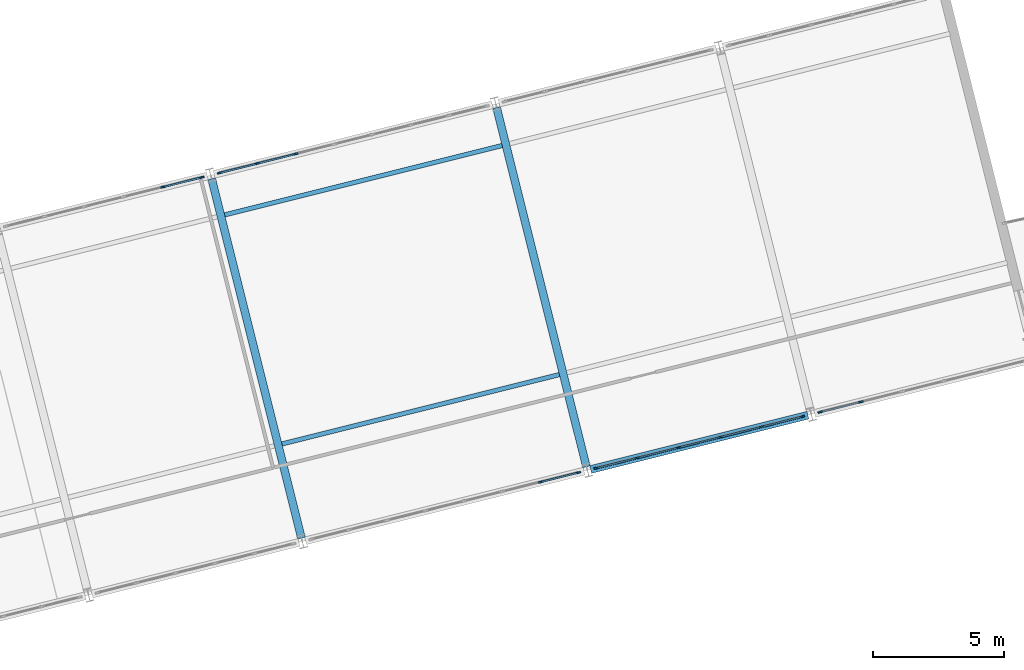
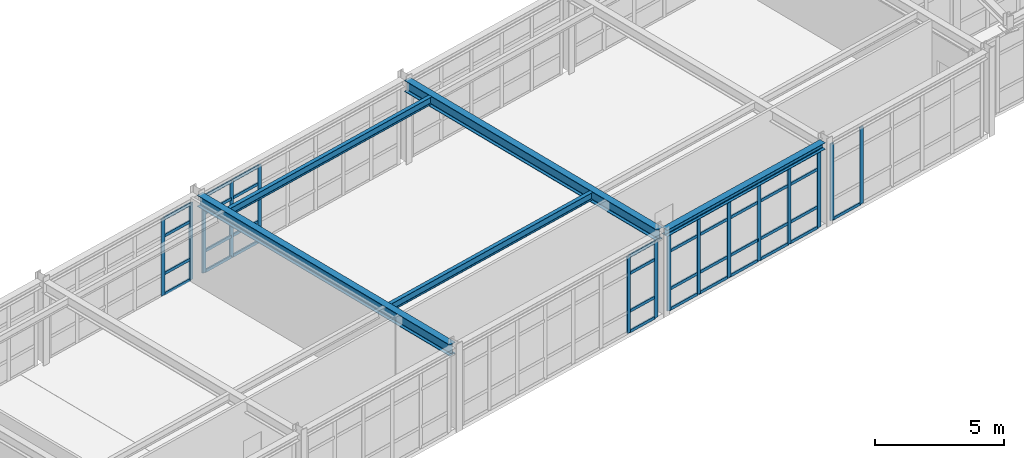
# One storey, part 22 of 88: 52 members, 5 beams, 5 elements without a shape of their own.
"""IFC4 building model written with IfcOpenShell, lengths in metres."""

from ifc_helpers import new_model, si_unit, direction, frame, origin, origin_2d, place, context, subcontext, project, spatial, rectangle, i_section, extrude, material, layer, layer_set, material_profile, profile_set, type_object, element, aggregate, save


model = new_model("IFC4")

# Units and contexts
model_context = context("Model", 3, precision=1e-05, world=origin(), true_north=direction((0.0, 1.0)))
body_context = subcontext(model_context, "Body", "Model", "MODEL_VIEW")
ifc_project = project(units=[si_unit("LENGTHUNIT", "METRE"), si_unit("AREAUNIT", "SQUARE_METRE"), si_unit("VOLUMEUNIT", "CUBIC_METRE"), si_unit("PLANEANGLEUNIT", "RADIAN"), si_unit("MASSUNIT", "GRAM", prefix="KILO")], contexts=[model_context])

# Site, building, storey
site_placement = place(None, origin())
site = spatial("IfcSite", under=ifc_project, at=site_placement, CompositionType="ELEMENT")
building_placement = place(site_placement, origin())
building = spatial("IfcBuilding", under=site, at=building_placement, Name="Nordkorset Police Headquarters", CompositionType="ELEMENT")
storey_placement = place(building_placement, frame((0.0, 0.0, 9.449951171875)))
storey = spatial("IfcBuildingStorey", under=building, at=storey_placement, Name="L02", CompositionType="ELEMENT", Elevation=9.449951171875)

# Beams
ifc_material_1 = material(Name="Steel S355J2", Category="steel")
ifc_material_profile_1 = material_profile(ifc_material_1, i_section(OverallWidth=0.169921875, OverallDepth=0.360107421875, WebThickness=0.008056640625, FlangeThickness=0.0126953125, FilletRadius=0.01806640625, at=origin_2d()), Name="IPE 360")
ifc_profile_set_1 = profile_set([ifc_material_profile_1], Name="Steel S355J2")
beam_type_1 = type_object("IfcBeamType", Name="Beam_IPE_360", PredefinedType="BEAM", material=ifc_profile_set_1)
for number, where, z_axis, x_axis, name in (
    (1, (50.763916015625, 52.7080078125, 3.7900390625), (0.970145135142, 0.242525084807, 0.0), (-0.242525084807, 0.970145135142, 0.0), "Splayed Wing Secondary Beam L02 3-1"),
    (2, (48.5810546875, 61.439208984375, 3.7900390625), (0.970145135142, 0.242525084807, 0.0), (-0.242525084807, 0.970145135142, 0.0), "Splayed Wing Secondary Beam L02 3-2"),
):
    element("IfcBeam", number, at=place(storey_placement, frame(where, z_axis=z_axis, x_axis=x_axis)), inside=storey, type_object=beam_type_1, Name=name, PredefinedType="BEAM", context=body_context, shape_type="SweptSolid", body=[
        extrude(i_section(OverallWidth=0.169921875, OverallDepth=0.360107421875, WebThickness=0.008056640625, FlangeThickness=0.0126953125, FilletRadius=0.01806640625, at=origin_2d()), origin(), (0.0, 0.0, 1.0), 10.900146484375),
    ])

# Curtain wall, members
ifc_material_2 = material(Name="Aluminium alloy AW-6060", Category="aluminium")
ifc_layer_1 = layer(ifc_material_2, 0.179931640625, Name="Aluminium alloy AW-6060")
ifc_layer_set_1 = layer_set([ifc_layer_1], Name="Aluminium alloy AW-6060")
curtain_wall_type_1 = type_object("IfcCurtainWallType", Name="CW_Unit_776x364", PredefinedType="USERDEFINED", material=ifc_layer_set_1)
curtain_wall_1_placement = place(storey_placement, origin())
curtain_wall_1 = element("IfcCurtainWall", 3, at=curtain_wall_1_placement, inside=storey, type_object=curtain_wall_type_1, Name="Unitised Curtain Wall L02 V4N-2", ObjectType="UNITISED CURTAIN WALL", PredefinedType="USERDEFINED")
ifc_material_3 = material(Name="Aluminium alloy AW-6060", Category="aluminium")
ifc_material_profile_2 = material_profile(ifc_material_3, rectangle(XDim=0.06494140625, YDim=0.179931640625, at=origin_2d()), Name="ALU MULL 65x180")
ifc_profile_set_2 = profile_set([ifc_material_profile_2], Name="Aluminium alloy AW-6060")
member_type_1 = type_object("IfcMemberType", Name="CW_Mullion_65x180", PredefinedType="MULLION", material=ifc_profile_set_2)
member_1_placement = place(storey_placement, frame((46.2314453125, 62.5009765625, 0.0), z_axis=(0.0, 0.0, 1.0), x_axis=(-0.242535928242, 0.970142424344, 0.0)))
member_1 = element("IfcMember", 4, at=member_1_placement, type_object=member_type_1, Name="CW-100 mullion 5", PredefinedType="MULLION", context=body_context, shape_type="SweptSolid", body=[
    extrude(rectangle(XDim=0.06494140625, YDim=0.179931640625, at=origin_2d()), origin(), (0.0, 0.0, 1.0), 3.64013671875),
])
member_2_placement = place(storey_placement, frame((47.70556640625, 62.86962890625, 0.0), z_axis=(0.0, 0.0, 1.0), x_axis=(-0.242535928242, 0.970142424344, 0.0)))
member_2 = element("IfcMember", 5, at=member_2_placement, type_object=member_type_1, Name="CW-100 mullion 6", PredefinedType="MULLION", context=body_context, shape_type="SweptSolid", body=[
    extrude(rectangle(XDim=0.06494140625, YDim=0.179931640625, at=origin_2d()), origin(), (0.0, 0.0, 1.0), 3.64013671875),
])

ifc_material_4 = material(Name="Aluminium alloy AW-6060", Category="aluminium")
ifc_layer_2 = layer(ifc_material_4, 0.179931640625, Name="Aluminium alloy AW-6060")
ifc_layer_set_2 = layer_set([ifc_layer_2], Name="Aluminium alloy AW-6060")
curtain_wall_type_2 = type_object("IfcCurtainWallType", Name="CW_Unit_1056x364", PredefinedType="USERDEFINED", material=ifc_layer_set_2)
curtain_wall_2_placement = place(storey_placement, origin())
curtain_wall_2 = element("IfcCurtainWall", 6, at=curtain_wall_2_placement, inside=storey, type_object=curtain_wall_type_2, Name="Unitised Curtain Wall L02 V4S-3", ObjectType="UNITISED CURTAIN WALL", PredefinedType="USERDEFINED")
member_3_placement = place(storey_placement, frame((60.6318359375, 51.2578125, 0.0), z_axis=(0.0, 0.0, 1.0), x_axis=(-0.242535179399, 0.970142611554, 0.0)))
member_3 = element("IfcMember", 7, at=member_3_placement, type_object=member_type_1, Name="CW-31 mullion 7", PredefinedType="MULLION", context=body_context, shape_type="SweptSolid", body=[
    extrude(rectangle(XDim=0.06494140625, YDim=0.179931640625, at=origin_2d()), origin(), (0.0, 0.0, 1.0), 3.64013671875),
])
member_4_placement = place(storey_placement, frame((62.063720703125, 51.615966796875, 0.0), z_axis=(0.0, 0.0, 1.0), x_axis=(-0.242535179399, 0.970142611554, 0.0)))
member_4 = element("IfcMember", 8, at=member_4_placement, type_object=member_type_1, Name="CW-31 mullion 8", PredefinedType="MULLION", context=body_context, shape_type="SweptSolid", body=[
    extrude(rectangle(XDim=0.06494140625, YDim=0.179931640625, at=origin_2d()), origin(), (0.0, 0.0, 1.0), 3.64013671875),
])

curtain_wall_3_placement = place(storey_placement, origin())
curtain_wall_3 = element("IfcCurtainWall", 9, at=curtain_wall_3_placement, inside=storey, type_object=curtain_wall_type_2, Name="Unitised Curtain Wall L02 V4N-3", ObjectType="UNITISED CURTAIN WALL", PredefinedType="USERDEFINED")
member_5_placement = place(storey_placement, frame((48.3896484375, 63.04052734375, 0.0), z_axis=(0.0, 0.0, 1.0), x_axis=(-0.242536070676, 0.970142388735, 0.0)))
member_5 = element("IfcMember", 10, at=member_5_placement, type_object=member_type_1, Name="CW-31 mullion 1", PredefinedType="MULLION", context=body_context, shape_type="SweptSolid", body=[
    extrude(rectangle(XDim=0.06494140625, YDim=0.179931640625, at=origin_2d()), origin(), (0.0, 0.0, 1.0), 3.64013671875),
])
member_6_placement = place(storey_placement, frame((49.821533203125, 63.398681640625, 0.0), z_axis=(0.0, 0.0, 1.0), x_axis=(-0.242536070676, 0.970142388735, 0.0)))
member_6 = element("IfcMember", 11, at=member_6_placement, type_object=member_type_1, Name="CW-31 mullion 2", PredefinedType="MULLION", context=body_context, shape_type="SweptSolid", body=[
    extrude(rectangle(XDim=0.06494140625, YDim=0.179931640625, at=origin_2d()), origin(), (0.0, 0.0, 1.0), 3.64013671875),
])
member_7_placement = place(storey_placement, frame((51.28515625, 63.764404296875, 0.0), z_axis=(0.0, 0.0, 1.0), x_axis=(-0.242536070676, 0.970142388735, 0.0)))
member_7 = element("IfcMember", 12, at=member_7_placement, type_object=member_type_1, Name="CW-31 mullion 3", PredefinedType="MULLION", context=body_context, shape_type="SweptSolid", body=[
    extrude(rectangle(XDim=0.06494140625, YDim=0.179931640625, at=origin_2d()), origin(), (0.0, 0.0, 1.0), 3.64013671875),
])

ifc_material_5 = material(Name="Aluminium alloy AW-6060", Category="aluminium")
ifc_layer_3 = layer(ifc_material_5, 0.179931640625, Name="Aluminium alloy AW-6060")
ifc_layer_set_3 = layer_set([ifc_layer_3], Name="Aluminium alloy AW-6060")
curtain_wall_type_3 = type_object("IfcCurtainWallType", Name="CW_Unit_816x364", PredefinedType="USERDEFINED", material=ifc_layer_set_3)
curtain_wall_4_placement = place(storey_placement, origin())
curtain_wall_4 = element("IfcCurtainWall", 13, at=curtain_wall_4_placement, inside=storey, type_object=curtain_wall_type_3, Name="Unitised Curtain Wall L02 V4S-4", ObjectType="UNITISED CURTAIN WALL", PredefinedType="USERDEFINED")
member_8_placement = place(storey_placement, frame((62.74755859375, 51.786865234375, 0.0), z_axis=(0.0, 0.0, 1.0), x_axis=(-0.242535625038, 0.970142500145, 0.0)))
member_8 = element("IfcMember", 14, at=member_8_placement, type_object=member_type_1, Name="CW-64 mullion 1", PredefinedType="MULLION", context=body_context, shape_type="SweptSolid", body=[
    extrude(rectangle(XDim=0.06494140625, YDim=0.179931640625, at=origin_2d()), origin(), (0.0, 0.0, 1.0), 3.64013671875),
])
member_9_placement = place(storey_placement, frame((64.29931640625, 52.1748046875, 0.0), z_axis=(0.0, 0.0, 1.0), x_axis=(-0.242535625038, 0.970142500145, 0.0)))
member_9 = element("IfcMember", 15, at=member_9_placement, type_object=member_type_1, Name="CW-64 mullion 2", PredefinedType="MULLION", context=body_context, shape_type="SweptSolid", body=[
    extrude(rectangle(XDim=0.06494140625, YDim=0.179931640625, at=origin_2d()), origin(), (0.0, 0.0, 1.0), 3.64013671875),
])
member_10_placement = place(storey_placement, frame((65.8828125, 52.570556640625, 0.0), z_axis=(0.0, 0.0, 1.0), x_axis=(-0.242535625038, 0.970142500145, 0.0)))
member_10 = element("IfcMember", 16, at=member_10_placement, type_object=member_type_1, Name="CW-64 mullion 3", PredefinedType="MULLION", context=body_context, shape_type="SweptSolid", body=[
    extrude(rectangle(XDim=0.06494140625, YDim=0.179931640625, at=origin_2d()), origin(), (0.0, 0.0, 1.0), 3.64013671875),
])
member_11_placement = place(storey_placement, frame((67.466064453125, 52.966552734375, 0.0), z_axis=(0.0, 0.0, 1.0), x_axis=(-0.242535625038, 0.970142500145, 0.0)))
member_11 = element("IfcMember", 17, at=member_11_placement, type_object=member_type_1, Name="CW-64 mullion 4", PredefinedType="MULLION", context=body_context, shape_type="SweptSolid", body=[
    extrude(rectangle(XDim=0.06494140625, YDim=0.179931640625, at=origin_2d()), origin(), (0.0, 0.0, 1.0), 3.64013671875),
])
member_12_placement = place(storey_placement, frame((69.04931640625, 53.3623046875, 0.0), z_axis=(0.0, 0.0, 1.0), x_axis=(-0.242535625038, 0.970142500145, 0.0)))
member_12 = element("IfcMember", 18, at=member_12_placement, type_object=member_type_1, Name="CW-64 mullion 5", PredefinedType="MULLION", context=body_context, shape_type="SweptSolid", body=[
    extrude(rectangle(XDim=0.06494140625, YDim=0.179931640625, at=origin_2d()), origin(), (0.0, 0.0, 1.0), 3.64013671875),
])
member_13_placement = place(storey_placement, frame((70.60107421875, 53.750244140625, 0.0), z_axis=(0.0, 0.0, 1.0), x_axis=(-0.242535625038, 0.970142500145, 0.0)))
member_13 = element("IfcMember", 19, at=member_13_placement, type_object=member_type_1, Name="CW-64 mullion 6", PredefinedType="MULLION", context=body_context, shape_type="SweptSolid", body=[
    extrude(rectangle(XDim=0.06494140625, YDim=0.179931640625, at=origin_2d()), origin(), (0.0, 0.0, 1.0), 3.64013671875),
])

curtain_wall_5_placement = place(storey_placement, origin())
curtain_wall_5 = element("IfcCurtainWall", 20, at=curtain_wall_5_placement, inside=storey, type_object=curtain_wall_type_3, Name="Unitised Curtain Wall L02 V4S-5", ObjectType="UNITISED CURTAIN WALL", PredefinedType="USERDEFINED")
member_14_placement = place(storey_placement, frame((71.284912109375, 53.921142578125, 0.0), z_axis=(0.0, 0.0, 1.0), x_axis=(-0.242535625038, 0.970142500145, 0.0)))
member_14 = element("IfcMember", 21, at=member_14_placement, type_object=member_type_1, Name="CW-64 mullion 1", PredefinedType="MULLION", context=body_context, shape_type="SweptSolid", body=[
    extrude(rectangle(XDim=0.06494140625, YDim=0.179931640625, at=origin_2d()), origin(), (0.0, 0.0, 1.0), 3.64013671875),
])
member_15_placement = place(storey_placement, frame((72.836669921875, 54.30908203125, 0.0), z_axis=(0.0, 0.0, 1.0), x_axis=(-0.242535625038, 0.970142500145, 0.0)))
member_15 = element("IfcMember", 22, at=member_15_placement, type_object=member_type_1, Name="CW-64 mullion 2", PredefinedType="MULLION", context=body_context, shape_type="SweptSolid", body=[
    extrude(rectangle(XDim=0.06494140625, YDim=0.179931640625, at=origin_2d()), origin(), (0.0, 0.0, 1.0), 3.64013671875),
])

# Member
ifc_material_6 = material(Name="Aluminium alloy AW-6060", Category="aluminium")
ifc_material_profile_3 = material_profile(ifc_material_6, rectangle(XDim=0.06494140625, YDim=0.139892578125, at=origin_2d()), Name="ALU TRAN 65x140")
ifc_profile_set_3 = profile_set([ifc_material_profile_3], Name="Aluminium alloy AW-6060")
member_type_2 = type_object("IfcMemberType", Name="CW_Transom_65x140", PredefinedType="USERDEFINED", material=ifc_profile_set_3)
member_16_placement = place(storey_placement, frame((46.262939453125, 62.509033203125, 0.032470703125), z_axis=(0.970142500145, 0.242535625036, 0.0), x_axis=(-0.242535625036, 0.970142500145, 0.0)))
member_16 = element("IfcMember", 23, at=member_16_placement, type_object=member_type_2, Name="CW-100 transom 5.1", ObjectType="TRANSOM", PredefinedType="USERDEFINED", context=body_context, shape_type="SweptSolid", body=[
    extrude(rectangle(XDim=0.06494140625, YDim=0.139892578125, at=origin_2d()), origin(), (0.0, 0.0, 1.0), 1.45458984375),
])

member_17_placement = place(storey_placement, frame((46.262939453125, 62.509033203125, 1.0), z_axis=(0.970142500145, 0.242535625036, 0.0), x_axis=(-0.242535625036, 0.970142500145, 0.0)))
member_17 = element("IfcMember", 24, at=member_17_placement, type_object=member_type_2, Name="CW-100 transom 5.2", ObjectType="TRANSOM", PredefinedType="USERDEFINED", context=body_context, shape_type="SweptSolid", body=[
    extrude(rectangle(XDim=0.06494140625, YDim=0.139892578125, at=origin_2d()), origin(), (0.0, 0.0, 1.0), 1.45458984375),
])

member_18_placement = place(storey_placement, frame((46.262939453125, 62.509033203125, 2.7900390625), z_axis=(0.970142500145, 0.242535625036, 0.0), x_axis=(-0.242535625036, 0.970142500145, 0.0)))
member_18 = element("IfcMember", 25, at=member_18_placement, type_object=member_type_2, Name="CW-100 transom 5.3", ObjectType="TRANSOM", PredefinedType="USERDEFINED", context=body_context, shape_type="SweptSolid", body=[
    extrude(rectangle(XDim=0.06494140625, YDim=0.139892578125, at=origin_2d()), origin(), (0.0, 0.0, 1.0), 1.45458984375),
])

member_19_placement = place(storey_placement, frame((46.262939453125, 62.509033203125, 3.607666015625), z_axis=(0.970142500145, 0.242535625036, 0.0), x_axis=(-0.242535625036, 0.970142500145, 0.0)))
member_19 = element("IfcMember", 26, at=member_19_placement, type_object=member_type_2, Name="CW-100 transom 5.4", ObjectType="TRANSOM", PredefinedType="USERDEFINED", context=body_context, shape_type="SweptSolid", body=[
    extrude(rectangle(XDim=0.06494140625, YDim=0.139892578125, at=origin_2d()), origin(), (0.0, 0.0, 1.0), 1.45458984375),
])

aggregate(curtain_wall_1, [member_1, member_2, member_16, member_17, member_18, member_19])

member_20_placement = place(storey_placement, frame((60.663330078125, 51.265869140625, 0.032470703125), z_axis=(0.970132321548, 0.242576335796, 0.0), x_axis=(-0.242576335796, 0.970132321548, 0.0)))
member_20 = element("IfcMember", 27, at=member_20_placement, type_object=member_type_2, Name="CW-31 transom 7.1", ObjectType="TRANSOM", PredefinedType="USERDEFINED", context=body_context, shape_type="SweptSolid", body=[
    extrude(rectangle(XDim=0.06494140625, YDim=0.139892578125, at=origin_2d()), origin(), (0.0, 0.0, 1.0), 1.4111328125),
])

member_21_placement = place(storey_placement, frame((60.663330078125, 51.265869140625, 1.0), z_axis=(0.970132321548, 0.242576335796, 0.0), x_axis=(-0.242576335796, 0.970132321548, 0.0)))
member_21 = element("IfcMember", 28, at=member_21_placement, type_object=member_type_2, Name="CW-31 transom 7.2", ObjectType="TRANSOM", PredefinedType="USERDEFINED", context=body_context, shape_type="SweptSolid", body=[
    extrude(rectangle(XDim=0.06494140625, YDim=0.139892578125, at=origin_2d()), origin(), (0.0, 0.0, 1.0), 1.4111328125),
])

member_22_placement = place(storey_placement, frame((60.663330078125, 51.265869140625, 2.7900390625), z_axis=(0.970132321548, 0.242576335796, 0.0), x_axis=(-0.242576335796, 0.970132321548, 0.0)))
member_22 = element("IfcMember", 29, at=member_22_placement, type_object=member_type_2, Name="CW-31 transom 7.3", ObjectType="TRANSOM", PredefinedType="USERDEFINED", context=body_context, shape_type="SweptSolid", body=[
    extrude(rectangle(XDim=0.06494140625, YDim=0.139892578125, at=origin_2d()), origin(), (0.0, 0.0, 1.0), 1.4111328125),
])

member_23_placement = place(storey_placement, frame((60.663330078125, 51.265869140625, 3.607666015625), z_axis=(0.970132321548, 0.242576335796, 0.0), x_axis=(-0.242576335796, 0.970132321548, 0.0)))
member_23 = element("IfcMember", 30, at=member_23_placement, type_object=member_type_2, Name="CW-31 transom 7.4", ObjectType="TRANSOM", PredefinedType="USERDEFINED", context=body_context, shape_type="SweptSolid", body=[
    extrude(rectangle(XDim=0.06494140625, YDim=0.139892578125, at=origin_2d()), origin(), (0.0, 0.0, 1.0), 1.4111328125),
])

aggregate(curtain_wall_2, [member_3, member_4, member_20, member_21, member_22, member_23])

member_24_placement = place(storey_placement, frame((48.421142578125, 63.04833984375, 0.032470703125), z_axis=(0.970132321548, 0.242576335796, 0.0), x_axis=(-0.242576335796, 0.970132321548, 0.0)))
member_24 = element("IfcMember", 31, at=member_24_placement, type_object=member_type_2, Name="CW-31 transom 1.1", ObjectType="TRANSOM", PredefinedType="USERDEFINED", context=body_context, shape_type="SweptSolid", body=[
    extrude(rectangle(XDim=0.06494140625, YDim=0.139892578125, at=origin_2d()), origin(), (0.0, 0.0, 1.0), 1.4111328125),
])

member_25_placement = place(storey_placement, frame((48.421142578125, 63.04833984375, 1.0), z_axis=(0.970132321548, 0.242576335796, 0.0), x_axis=(-0.242576335796, 0.970132321548, 0.0)))
member_25 = element("IfcMember", 32, at=member_25_placement, type_object=member_type_2, Name="CW-31 transom 1.2", ObjectType="TRANSOM", PredefinedType="USERDEFINED", context=body_context, shape_type="SweptSolid", body=[
    extrude(rectangle(XDim=0.06494140625, YDim=0.139892578125, at=origin_2d()), origin(), (0.0, 0.0, 1.0), 1.4111328125),
])

member_26_placement = place(storey_placement, frame((48.421142578125, 63.04833984375, 2.7900390625), z_axis=(0.970132321548, 0.242576335796, 0.0), x_axis=(-0.242576335796, 0.970132321548, 0.0)))
member_26 = element("IfcMember", 33, at=member_26_placement, type_object=member_type_2, Name="CW-31 transom 1.3", ObjectType="TRANSOM", PredefinedType="USERDEFINED", context=body_context, shape_type="SweptSolid", body=[
    extrude(rectangle(XDim=0.06494140625, YDim=0.139892578125, at=origin_2d()), origin(), (0.0, 0.0, 1.0), 1.4111328125),
])

member_27_placement = place(storey_placement, frame((48.421142578125, 63.04833984375, 3.607666015625), z_axis=(0.970132321548, 0.242576335796, 0.0), x_axis=(-0.242576335796, 0.970132321548, 0.0)))
member_27 = element("IfcMember", 34, at=member_27_placement, type_object=member_type_2, Name="CW-31 transom 1.4", ObjectType="TRANSOM", PredefinedType="USERDEFINED", context=body_context, shape_type="SweptSolid", body=[
    extrude(rectangle(XDim=0.06494140625, YDim=0.139892578125, at=origin_2d()), origin(), (0.0, 0.0, 1.0), 1.4111328125),
])

member_28_placement = place(storey_placement, frame((49.85302734375, 63.406494140625, 0.032470703125), z_axis=(0.970152446652, 0.242495835541, 0.0), x_axis=(-0.242495835541, 0.970152446652, 0.0)))
member_28 = element("IfcMember", 35, at=member_28_placement, type_object=member_type_2, Name="CW-31 transom 2.1", ObjectType="TRANSOM", PredefinedType="USERDEFINED", context=body_context, shape_type="SweptSolid", body=[
    extrude(rectangle(XDim=0.06494140625, YDim=0.139892578125, at=origin_2d()), origin(), (0.0, 0.0, 1.0), 1.44384765625),
])

member_29_placement = place(storey_placement, frame((49.85302734375, 63.406494140625, 1.0), z_axis=(0.970152446652, 0.242495835541, 0.0), x_axis=(-0.242495835541, 0.970152446652, 0.0)))
member_29 = element("IfcMember", 36, at=member_29_placement, type_object=member_type_2, Name="CW-31 transom 2.2", ObjectType="TRANSOM", PredefinedType="USERDEFINED", context=body_context, shape_type="SweptSolid", body=[
    extrude(rectangle(XDim=0.06494140625, YDim=0.139892578125, at=origin_2d()), origin(), (0.0, 0.0, 1.0), 1.44384765625),
])

member_30_placement = place(storey_placement, frame((49.85302734375, 63.406494140625, 2.7900390625), z_axis=(0.970152446652, 0.242495835541, 0.0), x_axis=(-0.242495835541, 0.970152446652, 0.0)))
member_30 = element("IfcMember", 37, at=member_30_placement, type_object=member_type_2, Name="CW-31 transom 2.3", ObjectType="TRANSOM", PredefinedType="USERDEFINED", context=body_context, shape_type="SweptSolid", body=[
    extrude(rectangle(XDim=0.06494140625, YDim=0.139892578125, at=origin_2d()), origin(), (0.0, 0.0, 1.0), 1.44384765625),
])

member_31_placement = place(storey_placement, frame((49.85302734375, 63.406494140625, 3.607666015625), z_axis=(0.970152446652, 0.242495835541, 0.0), x_axis=(-0.242495835541, 0.970152446652, 0.0)))
member_31 = element("IfcMember", 38, at=member_31_placement, type_object=member_type_2, Name="CW-31 transom 2.4", ObjectType="TRANSOM", PredefinedType="USERDEFINED", context=body_context, shape_type="SweptSolid", body=[
    extrude(rectangle(XDim=0.06494140625, YDim=0.139892578125, at=origin_2d()), origin(), (0.0, 0.0, 1.0), 1.44384765625),
])

aggregate(curtain_wall_3, [member_5, member_6, member_7, member_24, member_25, member_26, member_27, member_28, member_29, member_30, member_31])

member_32_placement = place(storey_placement, frame((62.779296875, 51.794921875, 0.032470703125), z_axis=(0.970151859396, 0.242498184963, 0.0), x_axis=(-0.242498184963, 0.970151859396, 0.0)))
member_32 = element("IfcMember", 39, at=member_32_placement, type_object=member_type_2, Name="CW-64 transom 1.1", ObjectType="TRANSOM", PredefinedType="USERDEFINED", context=body_context, shape_type="SweptSolid", body=[
    extrude(rectangle(XDim=0.06494140625, YDim=0.139892578125, at=origin_2d()), origin(), (0.0, 0.0, 1.0), 1.534423828125),
])

member_33_placement = place(storey_placement, frame((62.779296875, 51.794921875, 1.0), z_axis=(0.970151859396, 0.242498184963, 0.0), x_axis=(-0.242498184963, 0.970151859396, 0.0)))
member_33 = element("IfcMember", 40, at=member_33_placement, type_object=member_type_2, Name="CW-64 transom 1.2", ObjectType="TRANSOM", PredefinedType="USERDEFINED", context=body_context, shape_type="SweptSolid", body=[
    extrude(rectangle(XDim=0.06494140625, YDim=0.139892578125, at=origin_2d()), origin(), (0.0, 0.0, 1.0), 1.534423828125),
])

member_34_placement = place(storey_placement, frame((62.779296875, 51.794921875, 2.7900390625), z_axis=(0.970151859396, 0.242498184963, 0.0), x_axis=(-0.242498184963, 0.970151859396, 0.0)))
member_34 = element("IfcMember", 41, at=member_34_placement, type_object=member_type_2, Name="CW-64 transom 1.3", ObjectType="TRANSOM", PredefinedType="USERDEFINED", context=body_context, shape_type="SweptSolid", body=[
    extrude(rectangle(XDim=0.06494140625, YDim=0.139892578125, at=origin_2d()), origin(), (0.0, 0.0, 1.0), 1.534423828125),
])

member_35_placement = place(storey_placement, frame((62.779296875, 51.794921875, 3.607666015625), z_axis=(0.970151859396, 0.242498184963, 0.0), x_axis=(-0.242498184963, 0.970151859396, 0.0)))
member_35 = element("IfcMember", 42, at=member_35_placement, type_object=member_type_2, Name="CW-64 transom 1.4", ObjectType="TRANSOM", PredefinedType="USERDEFINED", context=body_context, shape_type="SweptSolid", body=[
    extrude(rectangle(XDim=0.06494140625, YDim=0.139892578125, at=origin_2d()), origin(), (0.0, 0.0, 1.0), 1.534423828125),
])

member_36_placement = place(storey_placement, frame((64.3310546875, 52.182861328125, 0.032470703125), z_axis=(0.970160829621, 0.242462295357, 0.0), x_axis=(-0.242462295357, 0.970160829621, 0.0)))
member_36 = element("IfcMember", 43, at=member_36_placement, type_object=member_type_2, Name="CW-64 transom 2.1", ObjectType="TRANSOM", PredefinedType="USERDEFINED", context=body_context, shape_type="SweptSolid", body=[
    extrude(rectangle(XDim=0.06494140625, YDim=0.139892578125, at=origin_2d()), origin(), (0.0, 0.0, 1.0), 1.566650390625),
])

member_37_placement = place(storey_placement, frame((64.3310546875, 52.182861328125, 1.0), z_axis=(0.970160829621, 0.242462295357, 0.0), x_axis=(-0.242462295357, 0.970160829621, 0.0)))
member_37 = element("IfcMember", 44, at=member_37_placement, type_object=member_type_2, Name="CW-64 transom 2.2", ObjectType="TRANSOM", PredefinedType="USERDEFINED", context=body_context, shape_type="SweptSolid", body=[
    extrude(rectangle(XDim=0.06494140625, YDim=0.139892578125, at=origin_2d()), origin(), (0.0, 0.0, 1.0), 1.566650390625),
])

member_38_placement = place(storey_placement, frame((64.3310546875, 52.182861328125, 2.7900390625), z_axis=(0.970160829621, 0.242462295357, 0.0), x_axis=(-0.242462295357, 0.970160829621, 0.0)))
member_38 = element("IfcMember", 45, at=member_38_placement, type_object=member_type_2, Name="CW-64 transom 2.3", ObjectType="TRANSOM", PredefinedType="USERDEFINED", context=body_context, shape_type="SweptSolid", body=[
    extrude(rectangle(XDim=0.06494140625, YDim=0.139892578125, at=origin_2d()), origin(), (0.0, 0.0, 1.0), 1.566650390625),
])

member_39_placement = place(storey_placement, frame((64.3310546875, 52.182861328125, 3.607666015625), z_axis=(0.970160829621, 0.242462295357, 0.0), x_axis=(-0.242462295357, 0.970160829621, 0.0)))
member_39 = element("IfcMember", 46, at=member_39_placement, type_object=member_type_2, Name="CW-64 transom 2.4", ObjectType="TRANSOM", PredefinedType="USERDEFINED", context=body_context, shape_type="SweptSolid", body=[
    extrude(rectangle(XDim=0.06494140625, YDim=0.139892578125, at=origin_2d()), origin(), (0.0, 0.0, 1.0), 1.566650390625),
])

member_40_placement = place(storey_placement, frame((65.914306640625, 52.57861328125, 0.032470703125), z_axis=(0.970160829621, 0.242462295357, 0.0), x_axis=(-0.242462295357, 0.970160829621, 0.0)))
member_40 = element("IfcMember", 47, at=member_40_placement, type_object=member_type_2, Name="CW-64 transom 3.1", ObjectType="TRANSOM", PredefinedType="USERDEFINED", context=body_context, shape_type="SweptSolid", body=[
    extrude(rectangle(XDim=0.06494140625, YDim=0.139892578125, at=origin_2d()), origin(), (0.0, 0.0, 1.0), 1.566650390625),
])

member_41_placement = place(storey_placement, frame((65.914306640625, 52.57861328125, 1.0), z_axis=(0.970160829621, 0.242462295357, 0.0), x_axis=(-0.242462295357, 0.970160829621, 0.0)))
member_41 = element("IfcMember", 48, at=member_41_placement, type_object=member_type_2, Name="CW-64 transom 3.2", ObjectType="TRANSOM", PredefinedType="USERDEFINED", context=body_context, shape_type="SweptSolid", body=[
    extrude(rectangle(XDim=0.06494140625, YDim=0.139892578125, at=origin_2d()), origin(), (0.0, 0.0, 1.0), 1.566650390625),
])

member_42_placement = place(storey_placement, frame((65.914306640625, 52.57861328125, 2.7900390625), z_axis=(0.970160829621, 0.242462295357, 0.0), x_axis=(-0.242462295357, 0.970160829621, 0.0)))
member_42 = element("IfcMember", 49, at=member_42_placement, type_object=member_type_2, Name="CW-64 transom 3.3", ObjectType="TRANSOM", PredefinedType="USERDEFINED", context=body_context, shape_type="SweptSolid", body=[
    extrude(rectangle(XDim=0.06494140625, YDim=0.139892578125, at=origin_2d()), origin(), (0.0, 0.0, 1.0), 1.566650390625),
])

member_43_placement = place(storey_placement, frame((65.914306640625, 52.57861328125, 3.607666015625), z_axis=(0.970160829621, 0.242462295357, 0.0), x_axis=(-0.242462295357, 0.970160829621, 0.0)))
member_43 = element("IfcMember", 50, at=member_43_placement, type_object=member_type_2, Name="CW-64 transom 3.4", ObjectType="TRANSOM", PredefinedType="USERDEFINED", context=body_context, shape_type="SweptSolid", body=[
    extrude(rectangle(XDim=0.06494140625, YDim=0.139892578125, at=origin_2d()), origin(), (0.0, 0.0, 1.0), 1.566650390625),
])

member_44_placement = place(storey_placement, frame((67.49755859375, 52.974365234375, 0.032470703125), z_axis=(0.970133335061, 0.24257228243, 0.0), x_axis=(-0.24257228243, 0.970133335061, 0.0)))
member_44 = element("IfcMember", 51, at=member_44_placement, type_object=member_type_2, Name="CW-64 transom 4.1", ObjectType="TRANSOM", PredefinedType="USERDEFINED", context=body_context, shape_type="SweptSolid", body=[
    extrude(rectangle(XDim=0.06494140625, YDim=0.139892578125, at=origin_2d()), origin(), (0.0, 0.0, 1.0), 1.567138671875),
])

member_45_placement = place(storey_placement, frame((67.49755859375, 52.974365234375, 1.0), z_axis=(0.970133335061, 0.24257228243, 0.0), x_axis=(-0.24257228243, 0.970133335061, 0.0)))
member_45 = element("IfcMember", 52, at=member_45_placement, type_object=member_type_2, Name="CW-64 transom 4.2", ObjectType="TRANSOM", PredefinedType="USERDEFINED", context=body_context, shape_type="SweptSolid", body=[
    extrude(rectangle(XDim=0.06494140625, YDim=0.139892578125, at=origin_2d()), origin(), (0.0, 0.0, 1.0), 1.567138671875),
])

member_46_placement = place(storey_placement, frame((67.49755859375, 52.974365234375, 2.7900390625), z_axis=(0.970133335061, 0.24257228243, 0.0), x_axis=(-0.24257228243, 0.970133335061, 0.0)))
member_46 = element("IfcMember", 53, at=member_46_placement, type_object=member_type_2, Name="CW-64 transom 4.3", ObjectType="TRANSOM", PredefinedType="USERDEFINED", context=body_context, shape_type="SweptSolid", body=[
    extrude(rectangle(XDim=0.06494140625, YDim=0.139892578125, at=origin_2d()), origin(), (0.0, 0.0, 1.0), 1.567138671875),
])

member_47_placement = place(storey_placement, frame((67.49755859375, 52.974365234375, 3.607666015625), z_axis=(0.970133335061, 0.24257228243, 0.0), x_axis=(-0.24257228243, 0.970133335061, 0.0)))
member_47 = element("IfcMember", 54, at=member_47_placement, type_object=member_type_2, Name="CW-64 transom 4.4", ObjectType="TRANSOM", PredefinedType="USERDEFINED", context=body_context, shape_type="SweptSolid", body=[
    extrude(rectangle(XDim=0.06494140625, YDim=0.139892578125, at=origin_2d()), origin(), (0.0, 0.0, 1.0), 1.567138671875),
])

member_48_placement = place(storey_placement, frame((69.080810546875, 53.3701171875, 0.032470703125), z_axis=(0.970114414808, 0.242647938754, 0.0), x_axis=(-0.242647938754, 0.970114414808, 0.0)))
member_48 = element("IfcMember", 55, at=member_48_placement, type_object=member_type_2, Name="CW-64 transom 5.1", ObjectType="TRANSOM", PredefinedType="USERDEFINED", context=body_context, shape_type="SweptSolid", body=[
    extrude(rectangle(XDim=0.06494140625, YDim=0.139892578125, at=origin_2d()), origin(), (0.0, 0.0, 1.0), 1.534423828125),
])

member_49_placement = place(storey_placement, frame((69.080810546875, 53.3701171875, 1.0), z_axis=(0.970114414808, 0.242647938754, 0.0), x_axis=(-0.242647938754, 0.970114414808, 0.0)))
member_49 = element("IfcMember", 56, at=member_49_placement, type_object=member_type_2, Name="CW-64 transom 5.2", ObjectType="TRANSOM", PredefinedType="USERDEFINED", context=body_context, shape_type="SweptSolid", body=[
    extrude(rectangle(XDim=0.06494140625, YDim=0.139892578125, at=origin_2d()), origin(), (0.0, 0.0, 1.0), 1.534423828125),
])

member_50_placement = place(storey_placement, frame((69.080810546875, 53.3701171875, 2.7900390625), z_axis=(0.970114414808, 0.242647938754, 0.0), x_axis=(-0.242647938754, 0.970114414808, 0.0)))
member_50 = element("IfcMember", 57, at=member_50_placement, type_object=member_type_2, Name="CW-64 transom 5.3", ObjectType="TRANSOM", PredefinedType="USERDEFINED", context=body_context, shape_type="SweptSolid", body=[
    extrude(rectangle(XDim=0.06494140625, YDim=0.139892578125, at=origin_2d()), origin(), (0.0, 0.0, 1.0), 1.534423828125),
])

member_51_placement = place(storey_placement, frame((69.080810546875, 53.3701171875, 3.607666015625), z_axis=(0.970114414808, 0.242647938754, 0.0), x_axis=(-0.242647938754, 0.970114414808, 0.0)))
member_51 = element("IfcMember", 58, at=member_51_placement, type_object=member_type_2, Name="CW-64 transom 5.4", ObjectType="TRANSOM", PredefinedType="USERDEFINED", context=body_context, shape_type="SweptSolid", body=[
    extrude(rectangle(XDim=0.06494140625, YDim=0.139892578125, at=origin_2d()), origin(), (0.0, 0.0, 1.0), 1.534423828125),
])

aggregate(curtain_wall_4, [member_8, member_9, member_10, member_11, member_12, member_13, member_32, member_33, member_34, member_35, member_36, member_37, member_38, member_39, member_40, member_41, member_42, member_43, member_44, member_45, member_46, member_47, member_48, member_49, member_50, member_51])

member_52_placement = place(storey_placement, frame((71.31640625, 53.92919921875, 0.032470703125), z_axis=(0.970161214313, 0.242460756086, 0.0), x_axis=(-0.242460756086, 0.970161214313, 0.0)))
member_52 = element("IfcMember", 59, at=member_52_placement, type_object=member_type_2, Name="CW-64 transom 1.1", ObjectType="TRANSOM", PredefinedType="USERDEFINED", context=body_context, shape_type="SweptSolid", body=[
    extrude(rectangle(XDim=0.06494140625, YDim=0.139892578125, at=origin_2d()), origin(), (0.0, 0.0, 1.0), 1.53466796875),
])

aggregate(curtain_wall_5, [member_14, member_15, member_52])

# Beams
ifc_material_7 = material(Name="Steel S355J2", Category="steel")
ifc_material_profile_4 = material_profile(ifc_material_7, i_section(OverallWidth=0.300048828125, OverallDepth=0.5400390625, WebThickness=0.012451171875, FlangeThickness=0.02392578125, FilletRadius=0.027099609375, at=origin_2d()), Name="HEA 550")
ifc_profile_set_4 = profile_set([ifc_material_profile_4], Name="Steel S355J2")
beam_type_2 = type_object("IfcBeamType", Name="Girder_HEA_550", PredefinedType="USERDEFINED", material=ifc_profile_set_4)
for number, where, z_axis, x_axis, name in (
    (60, (51.506103515625, 49.120849609375, 3.699951171875), (-0.24253155672, 0.970143517215, 0.0), (-0.970143517215, -0.24253155672, 0.0), "Splayed Wing Transverse Girder L02 3"),
    (61, (62.371826171875, 51.837158203125, 3.699951171875), (-0.24254782991, 0.970139448845, 0.0), (-0.970139448845, -0.24254782991, 0.0), "Splayed Wing Transverse Girder L02 4"),
):
    element("IfcBeam", number, at=place(storey_placement, frame(where, z_axis=z_axis, x_axis=x_axis)), inside=storey, type_object=beam_type_2, Name=name, ObjectType="GIRDER", PredefinedType="USERDEFINED", context=body_context, shape_type="SweptSolid", body=[
        extrude(i_section(OverallWidth=0.300048828125, OverallDepth=0.5400390625, WebThickness=0.012451171875, FlangeThickness=0.02392578125, FilletRadius=0.027099609375, at=origin_2d()), origin(), (0.0, 0.0, 1.0), 14.1201171875),
    ])
ifc_material_8 = material(Name="Steel S355J2", Category="steel")
ifc_material_profile_5 = material_profile(ifc_material_8, i_section(OverallWidth=0.300048828125, OverallDepth=0.31005859375, WebThickness=0.009033203125, FlangeThickness=0.015380859375, FilletRadius=0.027099609375, at=origin_2d()), Name="HEA 320")
ifc_profile_set_5 = profile_set([ifc_material_profile_5], Name="Steel S355J2")
beam_type_3 = type_object("IfcBeamType", Name="Spandrel_HEA_320", PredefinedType="SPANDREL", material=ifc_profile_set_5)
beam_placement = place(storey_placement, frame((62.53173828125, 51.73291015625, 3.81494140625), z_axis=(0.970142500145, 0.242535625036, 0.0), x_axis=(-0.242535625036, 0.970142500145, 0.0)))
element("IfcBeam", 62, at=beam_placement, inside=storey, type_object=beam_type_3, Name="Splayed Wing Spandrel L02 4-0", PredefinedType="SPANDREL", context=body_context, shape_type="SweptSolid", body=[
    extrude(i_section(OverallWidth=0.300048828125, OverallDepth=0.31005859375, WebThickness=0.009033203125, FlangeThickness=0.015380859375, FilletRadius=0.027099609375, at=origin_2d()), origin(), (0.0, 0.0, 1.0), 8.5400390625),
])

save(model, "model.ifc")
